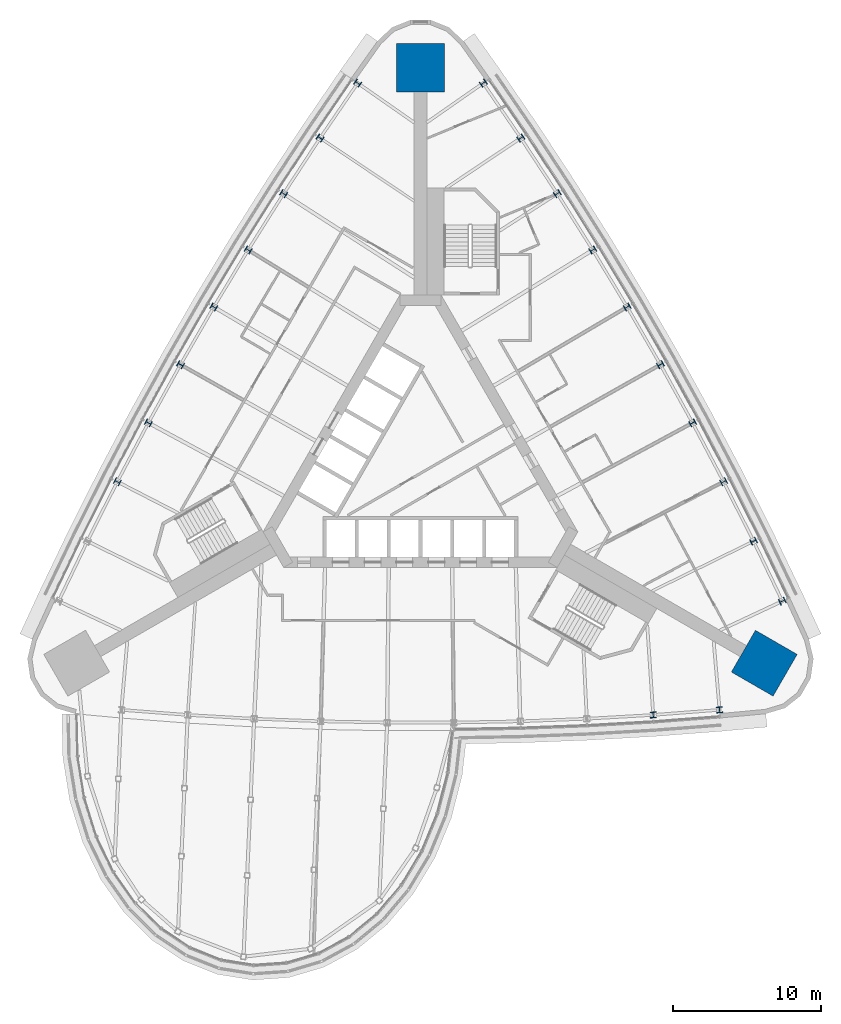
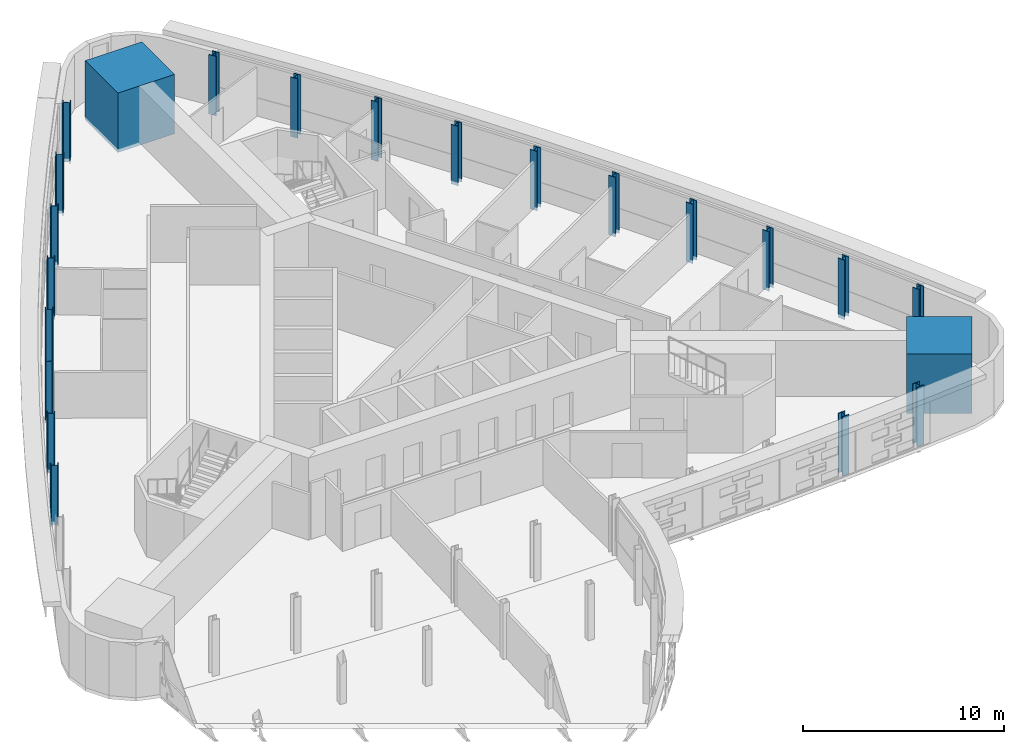
# One storey, part 2 of 16: 22 columns.
"""IFC4 building model written with IfcOpenShell, lengths in metres."""

from ifc_helpers import new_model, si_unit, direction, frame, origin, origin_2d, place, context, subcontext, project, spatial, rectangle, i_section, extrude, material, material_profile, profile_set, type_object, element, save


model = new_model("IFC4")

# Units and contexts
model_context = context("Model", 3, precision=1e-05, world=origin(), true_north=direction((0.0, 1.0)))
body_context = subcontext(model_context, "Body", "Model", "MODEL_VIEW")
ifc_project = project(units=[si_unit("LENGTHUNIT", "METRE"), si_unit("AREAUNIT", "SQUARE_METRE"), si_unit("VOLUMEUNIT", "CUBIC_METRE"), si_unit("PLANEANGLEUNIT", "RADIAN"), si_unit("MASSUNIT", "GRAM", prefix="KILO")], contexts=[model_context])

# Site, building, storey
site_placement = place(None, origin())
site = spatial("IfcSite", under=ifc_project, at=site_placement, CompositionType="ELEMENT")
building_placement = place(site_placement, origin())
building = spatial("IfcBuilding", under=site, at=building_placement, Name="Noor Cloister Tower", CompositionType="ELEMENT")
storey_placement = place(building_placement, frame((0.0, 0.0, 61.800048828125)))
storey = spatial("IfcBuildingStorey", under=building, at=storey_placement, Name="L15", CompositionType="ELEMENT", Elevation=61.800048828125)

# Columns
ifc_material_1 = material(Name="Steel ASTM A992 Gr 50", Category="steel")
ifc_material_profile_1 = material_profile(ifc_material_1, i_section(OverallWidth=0.404052734375, OverallDepth=0.406005859375, WebThickness=0.027099609375, FlangeThickness=0.043701171875, FilletRadius=0.01513671875, at=origin_2d()), Name="W360x347")
ifc_profile_set_1 = profile_set([ifc_material_profile_1], Name="Steel ASTM A992 Gr 50")
column_type_1 = type_object("IfcColumnType", Name="Column W360x347", PredefinedType="COLUMN", material=ifc_profile_set_1)
for number, where, z_axis, x_axis, name in (
    (1, (-4.23291015625, 25.7431640625, -0.199951171875), (0.0, 0.0, 1.0), (-0.572483892702, -0.81991596679, 0.0), "Column NW 01 L15"),
    (2, (-6.767578125, 22.037841796875, -0.199951171875), (0.0, 0.0, 1.0), (-0.556723105522, -0.830698130356, 0.0), "Column NW 02 L15"),
    (3, (-9.231201171875, 18.284912109375, -0.199951171875), (0.0, 0.0, 1.0), (-0.540759305107, -0.84117737365, 0.0), "Column NW 03 L15"),
    (4, (-11.622802734375, 14.4853515625, -0.199951171875), (0.0, 0.0, 1.0), (-0.524598312775, -0.851349875335, 0.0), "Column NW 04 L15"),
    (5, (-13.94140625, 10.64111328125, -0.199951171875), (0.0, 0.0, 1.0), (-0.508246021753, -0.861211925935, 0.0), "Column NW 05 L15"),
    (6, (-16.18603515625, 6.753173828125, -0.199951171875), (0.0, 0.0, 1.0), (-0.491708395025, -0.870759929178, 0.0), "Column NW 06 L15"),
    (7, (-18.356201171875, 2.822998046875, -0.199951171875), (0.0, 0.0, 1.0), (-0.474991463162, -0.879990403313, 0.0), "Column NW 07 L15"),
    (8, (-20.45068359375, -1.14794921875, -0.199951171875), (0.0, 0.0, 1.0), (-0.458101322116, -0.88889998238, 0.0), "Column NW 08 L15"),
    (9, (15.70166015625, -16.8798828125, -0.199951171875), (0.0, 0.0, 1.0), (0.997767236526, 0.066787287078, 0.0), "Column S 09 L15"),
    (10, (20.177978515625, -16.537353515625, -0.199951171875), (0.0, 0.0, 1.0), (0.996310002559, 0.085827610942, 0.0), "Column S 10 L15"),
    (11, (24.41064453125, -9.205810546875, -0.199951171875), (0.0, 0.0, 1.0), (-0.423826109857, 0.905743577732, 0.0), "Column NE 01 L15"),
    (12, (22.46923828125, -5.157958984375, -0.199951171875), (0.0, 0.0, 1.0), (-0.441044131004, 0.897485417434, 0.0), "Column NE 02 L15"),
    (13, (20.45068359375, -1.14794921875, -0.199951171875), (0.0, 0.0, 1.0), (-0.458101322116, 0.88889998238, 0.0), "Column NE 03 L15"),
    (14, (18.356201171875, 2.822998046875, -0.199951171875), (0.0, 0.0, 1.0), (-0.474991463162, 0.879990403313, 0.0), "Column NE 04 L15"),
    (15, (16.18603515625, 6.753173828125, -0.199951171875), (0.0, 0.0, 1.0), (-0.491708395025, 0.870759929178, 0.0), "Column NE 05 L15"),
    (16, (13.94140625, 10.64111328125, -0.199951171875), (0.0, 0.0, 1.0), (-0.508246021753, 0.861211925935, 0.0), "Column NE 06 L15"),
    (17, (11.622802734375, 14.4853515625, -0.199951171875), (0.0, 0.0, 1.0), (-0.524598312775, 0.851349875335, 0.0), "Column NE 07 L15"),
    (18, (9.231201171875, 18.284912109375, -0.199951171875), (0.0, 0.0, 1.0), (-0.540759305107, 0.84117737365, 0.0), "Column NE 08 L15"),
    (19, (6.767578125, 22.037841796875, -0.199951171875), (0.0, 0.0, 1.0), (-0.556723105522, 0.830698130356, 0.0), "Column NE 09 L15"),
    (20, (4.23291015625, 25.7431640625, -0.199951171875), (0.0, 0.0, 1.0), (-0.572483892702, 0.81991596679, 0.0), "Column NE 10 L15"),
):
    element("IfcColumn", number, at=place(storey_placement, frame(where, z_axis=z_axis, x_axis=x_axis)), inside=storey, type_object=column_type_1, Name=name, PredefinedType="COLUMN", context=body_context, shape_type="SweptSolid", body=[
        extrude(i_section(OverallWidth=0.404052734375, OverallDepth=0.406005859375, WebThickness=0.027099609375, FlangeThickness=0.043701171875, FilletRadius=0.01513671875, at=origin_2d()), origin(), (0.0, 0.0, 1.0), 3.599853515625),
    ])
ifc_material_2 = material(Name="Concrete C80/95", Category="concrete")
ifc_material_profile_2 = material_profile(ifc_material_2, rectangle(XDim=3.25, YDim=3.25, at=origin_2d()), Name="RC 3250x3250")
ifc_profile_set_2 = profile_set([ifc_material_profile_2], Name="Concrete C80/95")
column_type_2 = type_object("IfcColumnType", Name="Corner pier 3250 x 3250 C80/95", PredefinedType="COLUMN", material=ifc_profile_set_2)
for number, where, z_axis, x_axis, name in (
    (21, (0.0, 26.780029296875, -0.199951171875), (0.0, 0.0, 1.0), (0.0, 1.0, 0.0), "Corner pier N L15"),
    (22, (23.192138671875, -13.389892578125, -0.199951171875), (0.0, 0.0, 1.0), (0.866025403784, -0.5, 0.0), "Corner pier SE L15"),
):
    element("IfcColumn", number, at=place(storey_placement, frame(where, z_axis=z_axis, x_axis=x_axis)), inside=storey, type_object=column_type_2, Name=name, PredefinedType="COLUMN", context=body_context, shape_type="SweptSolid", body=[
        extrude(rectangle(XDim=3.25, YDim=3.25, at=origin_2d()), origin(), (0.0, 0.0, 1.0), 3.599853515625),
    ])

save(model, "model.ifc")
